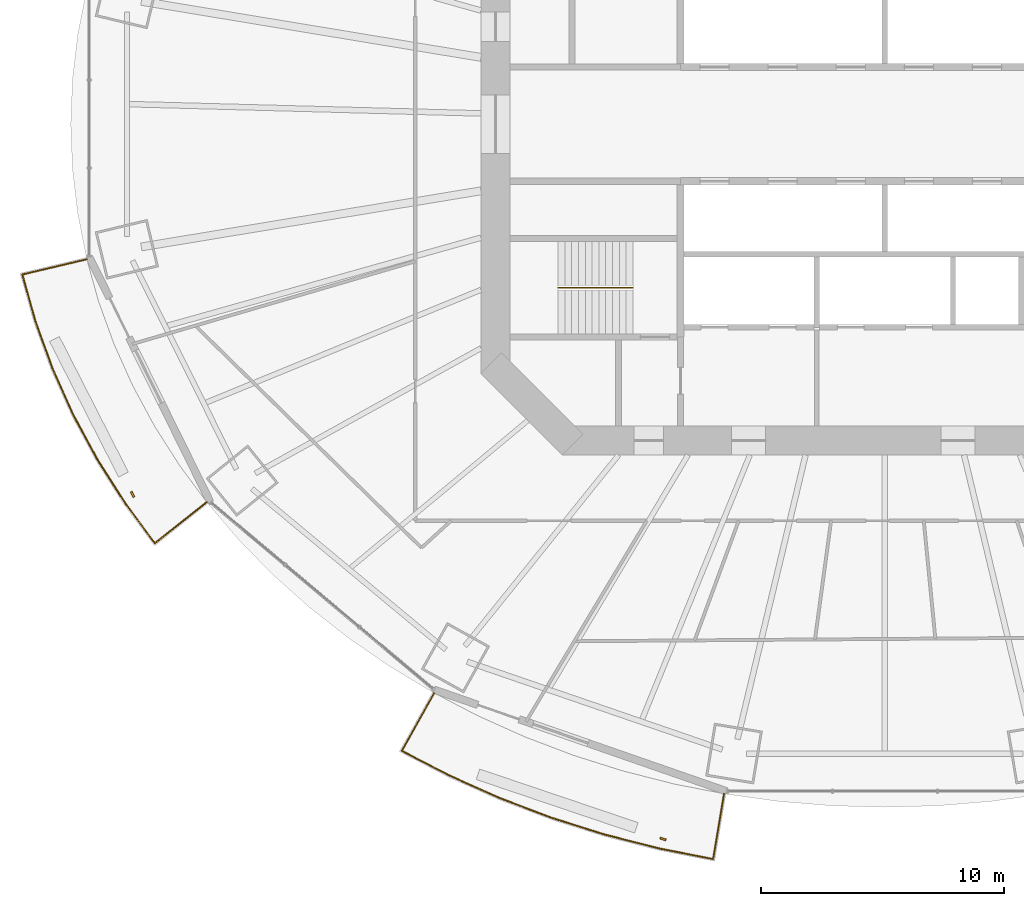
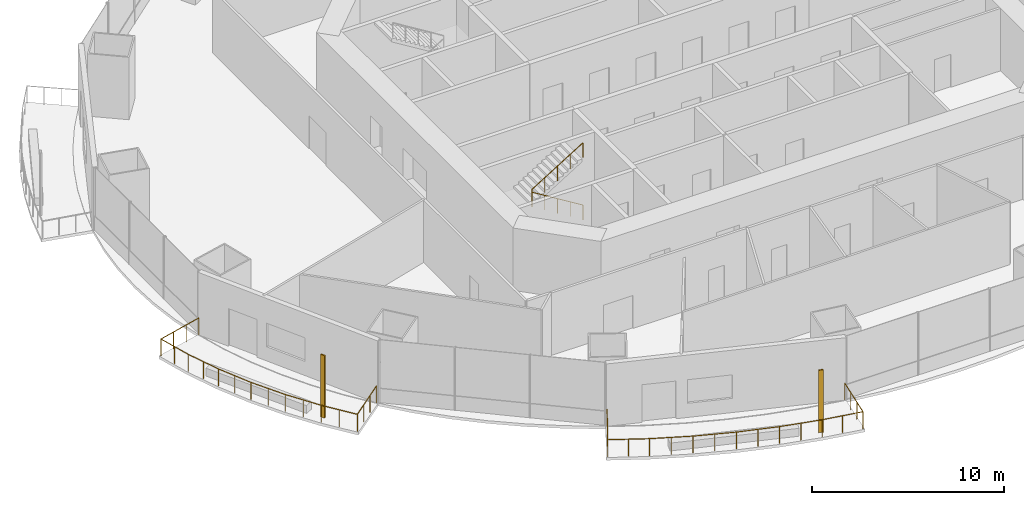
# One storey, part 16 of 20: 3 railings, 2 shading devices.
"""IFC4 building model written with IfcOpenShell, lengths in metres."""

from ifc_helpers import new_model, si_unit, direction, frame, origin, origin_2d, place, context, subcontext, project, spatial, rectangle, circle, extrude, material, material_profile, profile_set, type_object, element, save


model = new_model("IFC4")

# Units and contexts
model_context = context("Model", 3, precision=1e-05, world=origin(), true_north=direction((0.0, 1.0)))
body_context = subcontext(model_context, "Body", "Model", "MODEL_VIEW")
ifc_project = project(units=[si_unit("LENGTHUNIT", "METRE"), si_unit("AREAUNIT", "SQUARE_METRE"), si_unit("VOLUMEUNIT", "CUBIC_METRE"), si_unit("PLANEANGLEUNIT", "RADIAN"), si_unit("MASSUNIT", "GRAM", prefix="KILO")], contexts=[model_context])

# Site, building, storey
site_placement = place(None, origin())
site = spatial("IfcSite", under=ifc_project, at=site_placement, CompositionType="ELEMENT")
building_placement = place(site_placement, origin())
building = spatial("IfcBuilding", under=site, at=building_placement, Name="Marenthal Gate Tower", CompositionType="ELEMENT")
storey_placement = place(building_placement, frame((0.0, 0.0, 132.60009765625)))
storey = spatial("IfcBuildingStorey", under=building, at=storey_placement, Name="L28", CompositionType="ELEMENT", Elevation=132.60009765625)

# Railings
ifc_material_1 = material(Name="Stainless steel", Category="steel")
railing_type_1 = type_object("IfcRailingType", Name="Balcony guard 1100", PredefinedType="GUARDRAIL", material=ifc_material_1)
railing_1_placement = place(storey_placement, frame((-27.872314453125, -15.5361328125, 0.0)))
element("IfcRailing", 1, at=railing_1_placement, inside=storey, type_object=railing_type_1, Name="Balcony guard L28 bay 9", PredefinedType="GUARDRAIL", context=body_context, shape_type="SweptSolid", body=[
    extrude(circle(Radius=0.02392578125, at=origin_2d()), frame((0.0, 0.0, 1.076171875), z_axis=(-0.782497400994, -0.622479868482, -0.014718382127), x_axis=(0.622547303586, -0.782582171275, 0.0)), (0.0, 0.0, 1.0), 2.720458984375),
    extrude(circle(Radius=0.02392578125, at=origin_2d()), frame((-2.128662109375, -1.693359375, 1.0361328125), z_axis=(-0.594330839548, 0.80422064955, 0.0), x_axis=(-0.80422064955, -0.594330839548, 0.0)), (0.0, 0.0, 1.0), 2.0517578125),
    extrude(circle(Radius=0.02392578125, at=origin_2d()), frame((-3.34814453125, -0.043212890625, 1.0361328125), z_axis=(-0.537211554798, 0.843447535649, 0.0), x_axis=(-0.843447535649, -0.537211554798, 0.0)), (0.0, 0.0, 1.0), 2.114990234375),
    extrude(circle(Radius=0.02392578125, at=origin_2d()), frame((-4.484375, 1.74072265625, 1.0361328125), z_axis=(-0.475084098287, 0.879940395456, 0.0), x_axis=(-0.879940395456, -0.475084098287, 0.0)), (0.0, 0.0, 1.0), 2.099853515625),
    extrude(circle(Radius=0.02392578125, at=origin_2d()), frame((-5.48193359375, 3.58837890625, 1.0361328125), z_axis=(-0.409274320643, 0.912411382252, 0.0), x_axis=(-0.912411382252, -0.409274320643, 0.0)), (0.0, 0.0, 1.0), 2.0859375),
    extrude(circle(Radius=0.02392578125, at=origin_2d()), frame((-6.335693359375, 5.49169921875, 1.0361328125), z_axis=(-0.339927901039, 0.940451499066, 0.0), x_axis=(-0.940451499066, -0.339927901039, 0.0)), (0.0, 0.0, 1.0), 2.07421875),
    extrude(circle(Radius=0.02392578125, at=origin_2d()), frame((-7.040771484375, 7.4423828125, 1.0361328125), z_axis=(-0.269159912303, 0.963095499735, 0.0), x_axis=(-0.963095499735, -0.269159912303, 0.0)), (0.0, 0.0, 1.0), 1.984619140625),
    extrude(circle(Radius=0.02392578125, at=origin_2d()), frame((-7.574951171875, 9.353759765625, 1.0361328125), z_axis=(0.972966930586, 0.230474963356, 0.014718806071), x_axis=(-0.230499932836, 0.973072341074, 0.0)), (0.0, 0.0, 1.0), 2.72021484375),
    extrude(circle(Radius=0.02099609375, at=origin_2d()), origin(), (0.0, 0.0, 1.0), 1.052001953125),
    extrude(circle(Radius=0.02099609375, at=origin_2d()), frame((-0.70947265625, -0.564453125, -0.013427734375)), (0.0, 0.0, 1.0), 1.052001953125),
    extrude(circle(Radius=0.02099609375, at=origin_2d()), frame((-1.419189453125, -1.12890625, -0.026611328125)), (0.0, 0.0, 1.0), 1.052001953125),
    extrude(circle(Radius=0.02099609375, at=origin_2d()), frame((-2.128662109375, -1.693359375, -0.0400390625)), (0.0, 0.0, 1.0), 1.052001953125),
    extrude(circle(Radius=0.02099609375, at=origin_2d()), frame((-2.73828125, -0.8681640625, -0.0400390625)), (0.0, 0.0, 1.0), 1.052001953125),
    extrude(circle(Radius=0.02099609375, at=origin_2d()), frame((-3.34814453125, -0.043212890625, -0.0400390625)), (0.0, 0.0, 1.0), 1.052001953125),
    extrude(circle(Radius=0.02099609375, at=origin_2d()), frame((-3.916259765625, 0.8486328125, -0.0400390625)), (0.0, 0.0, 1.0), 1.052001953125),
    extrude(circle(Radius=0.02099609375, at=origin_2d()), frame((-4.484375, 1.74072265625, -0.0400390625)), (0.0, 0.0, 1.0), 1.052001953125),
    extrude(circle(Radius=0.02099609375, at=origin_2d()), frame((-4.983154296875, 2.66455078125, -0.0400390625)), (0.0, 0.0, 1.0), 1.052001953125),
    extrude(circle(Radius=0.02099609375, at=origin_2d()), frame((-5.48193359375, 3.58837890625, -0.0400390625)), (0.0, 0.0, 1.0), 1.052001953125),
    extrude(circle(Radius=0.02099609375, at=origin_2d()), frame((-5.90869140625, 4.5400390625, -0.0400390625)), (0.0, 0.0, 1.0), 1.052001953125),
    extrude(circle(Radius=0.02099609375, at=origin_2d()), frame((-6.335693359375, 5.49169921875, -0.0400390625)), (0.0, 0.0, 1.0), 1.052001953125),
    extrude(circle(Radius=0.02099609375, at=origin_2d()), frame((-6.688232421875, 6.467041015625, -0.0400390625)), (0.0, 0.0, 1.0), 1.052001953125),
    extrude(circle(Radius=0.02099609375, at=origin_2d()), frame((-7.040771484375, 7.4423828125, -0.0400390625)), (0.0, 0.0, 1.0), 1.052001953125),
    extrude(circle(Radius=0.02099609375, at=origin_2d()), frame((-7.307861328125, 8.39794921875, -0.0400390625)), (0.0, 0.0, 1.0), 1.052001953125),
    extrude(circle(Radius=0.02099609375, at=origin_2d()), frame((-7.574951171875, 9.353759765625, -0.0400390625)), (0.0, 0.0, 1.0), 1.052001953125),
    extrude(circle(Radius=0.02099609375, at=origin_2d()), frame((-6.692626953125, 9.562744140625, -0.026611328125)), (0.0, 0.0, 1.0), 1.052001953125),
    extrude(circle(Radius=0.02099609375, at=origin_2d()), frame((-5.810546875, 9.771728515625, -0.013427734375)), (0.0, 0.0, 1.0), 1.052001953125),
    extrude(circle(Radius=0.02099609375, at=origin_2d()), frame((-4.92822265625, 9.980712890625, 0.0)), (0.0, 0.0, 1.0), 1.052001953125),
])
railing_2_placement = place(storey_placement, frame((-6.60693359375, -27.5244140625, 0.0)))
element("IfcRailing", 2, at=railing_2_placement, inside=storey, type_object=railing_type_1, Name="Balcony guard L28 bay 11", PredefinedType="GUARDRAIL", context=body_context, shape_type="SweptSolid", body=[
    extrude(circle(Radius=0.02392578125, at=origin_2d()), frame((0.0, 0.0, 1.076171875), z_axis=(-0.164774109377, -0.986221507592, -0.014718384498), x_axis=(0.986328347949, -0.164791959854, 0.0)), (0.0, 0.0, 1.0), 2.720458984375),
    extrude(circle(Radius=0.02392578125, at=origin_2d()), frame((-0.4482421875, -2.682861328125, 1.0361328125), z_axis=(-0.981190742026, 0.193040741199, 0.0), x_axis=(-0.193040741199, -0.981190742026, 0.0)), (0.0, 0.0, 1.0), 2.244873046875),
    extrude(circle(Radius=0.02392578125, at=origin_2d()), frame((-2.65087890625, -2.24951171875, 1.0361328125), z_axis=(-0.969110463154, 0.246627067057, 0.0), x_axis=(-0.246627067057, -0.969110463154, 0.0)), (0.0, 0.0, 1.0), 2.3154296875),
    extrude(circle(Radius=0.02392578125, at=origin_2d()), frame((-4.894775390625, -1.678466796875, 1.0361328125), z_axis=(-0.953555439672, 0.301217568332, 0.0), x_axis=(-0.301217568332, -0.953555439672, 0.0)), (0.0, 0.0, 1.0), 2.30419921875),
    extrude(circle(Radius=0.02392578125, at=origin_2d()), frame((-7.092041015625, -0.984375, 1.0361328125), z_axis=(-0.934725540452, 0.355370460261, 0.0), x_axis=(-0.355370460261, -0.934725540452, 0.0)), (0.0, 0.0, 1.0), 2.291259765625),
    extrude(circle(Radius=0.02392578125, at=origin_2d()), frame((-9.233642578125, -0.170166015625, 1.0361328125), z_axis=(-0.912426484208, 0.409240651591, 0.0), x_axis=(-0.409240651591, -0.912426484208, 0.0)), (0.0, 0.0, 1.0), 2.276611328125),
    extrude(circle(Radius=0.02392578125, at=origin_2d()), frame((-11.310791015625, 0.761474609375, 1.0361328125), z_axis=(-0.887053580422, 0.461666487261, 0.0), x_axis=(-0.461666487261, -0.887053580422, 0.0)), (0.0, 0.0, 1.0), 2.180419921875),
    extrude(circle(Radius=0.02392578125, at=origin_2d()), frame((-13.244873046875, 1.76806640625, 1.0361328125), z_axis=(0.489304532784, 0.871988782196, 0.014718624977), x_axis=(-0.872083250464, 0.489357542356, 0.0)), (0.0, 0.0, 1.0), 2.72021484375),
    extrude(circle(Radius=0.02099609375, at=origin_2d()), origin(), (0.0, 0.0, 1.0), 1.052001953125),
    extrude(circle(Radius=0.02099609375, at=origin_2d()), frame((-0.1494140625, -0.894287109375, -0.013427734375)), (0.0, 0.0, 1.0), 1.052001953125),
    extrude(circle(Radius=0.02099609375, at=origin_2d()), frame((-0.298828125, -1.78857421875, -0.026611328125)), (0.0, 0.0, 1.0), 1.052001953125),
    extrude(circle(Radius=0.02099609375, at=origin_2d()), frame((-0.4482421875, -2.682861328125, -0.0400390625)), (0.0, 0.0, 1.0), 1.052001953125),
    extrude(circle(Radius=0.02099609375, at=origin_2d()), frame((-1.549560546875, -2.46630859375, -0.0400390625)), (0.0, 0.0, 1.0), 1.052001953125),
    extrude(circle(Radius=0.02099609375, at=origin_2d()), frame((-2.65087890625, -2.24951171875, -0.0400390625)), (0.0, 0.0, 1.0), 1.052001953125),
    extrude(circle(Radius=0.02099609375, at=origin_2d()), frame((-3.77294921875, -1.9638671875, -0.0400390625)), (0.0, 0.0, 1.0), 1.052001953125),
    extrude(circle(Radius=0.02099609375, at=origin_2d()), frame((-4.894775390625, -1.678466796875, -0.0400390625)), (0.0, 0.0, 1.0), 1.052001953125),
    extrude(circle(Radius=0.02099609375, at=origin_2d()), frame((-5.993408203125, -1.33154296875, -0.0400390625)), (0.0, 0.0, 1.0), 1.052001953125),
    extrude(circle(Radius=0.02099609375, at=origin_2d()), frame((-7.092041015625, -0.984375, -0.0400390625)), (0.0, 0.0, 1.0), 1.052001953125),
    extrude(circle(Radius=0.02099609375, at=origin_2d()), frame((-8.162841796875, -0.5771484375, -0.0400390625)), (0.0, 0.0, 1.0), 1.052001953125),
    extrude(circle(Radius=0.02099609375, at=origin_2d()), frame((-9.233642578125, -0.170166015625, -0.0400390625)), (0.0, 0.0, 1.0), 1.052001953125),
    extrude(circle(Radius=0.02099609375, at=origin_2d()), frame((-10.272216796875, 0.295654296875, -0.0400390625)), (0.0, 0.0, 1.0), 1.052001953125),
    extrude(circle(Radius=0.02099609375, at=origin_2d()), frame((-11.310791015625, 0.761474609375, -0.0400390625)), (0.0, 0.0, 1.0), 1.052001953125),
    extrude(circle(Radius=0.02099609375, at=origin_2d()), frame((-12.27783203125, 1.2646484375, -0.0400390625)), (0.0, 0.0, 1.0), 1.052001953125),
    extrude(circle(Radius=0.02099609375, at=origin_2d()), frame((-13.244873046875, 1.76806640625, -0.0400390625)), (0.0, 0.0, 1.0), 1.052001953125),
    extrude(circle(Radius=0.02099609375, at=origin_2d()), frame((-12.80126953125, 2.558837890625, -0.026611328125)), (0.0, 0.0, 1.0), 1.052001953125),
    extrude(circle(Radius=0.02099609375, at=origin_2d()), frame((-12.357421875, 3.349365234375, -0.013427734375)), (0.0, 0.0, 1.0), 1.052001953125),
    extrude(circle(Radius=0.02099609375, at=origin_2d()), frame((-11.913818359375, 4.14013671875, 0.0)), (0.0, 0.0, 1.0), 1.052001953125),
])
ifc_material_2 = material(Name="Stainless steel", Category="steel")
railing_type_2 = type_object("IfcRailingType", Name="Stair handrail", PredefinedType="HANDRAIL", material=ifc_material_2)
railing_3_placement = place(storey_placement, frame((-10.35009765625, -6.72509765625, 0.1728515625)))
element("IfcRailing", 3, at=railing_3_placement, inside=storey, type_object=railing_type_2, Name="Handrail ST2", PredefinedType="HANDRAIL", context=body_context, shape_type="SweptSolid", body=[
    extrude(circle(Radius=0.0224609375, at=origin_2d()), frame((0.0, 0.0, 0.927490234375), z_axis=(-0.850816621229, 0.0, 0.525462726595), x_axis=(0.0, -1.0, 0.0)), (0.0, 0.0, 1.0), 3.619873046875),
    extrude(circle(Radius=0.0224609375, at=origin_2d()), frame((-3.079833984375, 0.0, 2.82958984375), z_axis=(0.0, 0.0, 1.0), x_axis=(1.0, 0.0, 0.0)), (0.0, 0.0, 1.0), 0.1728515625),
    extrude(circle(Radius=0.0224609375, at=origin_2d()), frame((-3.079833984375, 0.0, 3.00244140625), z_axis=(0.850816621229, 0.0, 0.525462726595), x_axis=(0.0, 1.0, 0.0)), (0.0, 0.0, 1.0), 3.619873046875),
    extrude(circle(Radius=0.02001953125, at=origin_2d()), origin(), (0.0, 0.0, 1.0), 0.905029296875),
    extrude(circle(Radius=0.02001953125, at=origin_2d()), frame((-0.77001953125, 0.0, 0.4755859375)), (0.0, 0.0, 1.0), 0.905029296875),
    extrude(circle(Radius=0.02001953125, at=origin_2d()), frame((-1.5400390625, 0.0, 0.951171875)), (0.0, 0.0, 1.0), 0.905029296875),
    extrude(circle(Radius=0.02001953125, at=origin_2d()), frame((-2.309814453125, 0.0, 1.426513671875)), (0.0, 0.0, 1.0), 0.905029296875),
    extrude(circle(Radius=0.02001953125, at=origin_2d()), frame((-3.079833984375, 0.0, 1.902099609375)), (0.0, 0.0, 1.0), 0.905029296875),
    extrude(circle(Radius=0.02001953125, at=origin_2d()), frame((-3.079833984375, 0.0, 2.074951171875)), (0.0, 0.0, 1.0), 0.905029296875),
    extrude(circle(Radius=0.02001953125, at=origin_2d()), frame((-2.309814453125, 0.0, 2.550537109375)), (0.0, 0.0, 1.0), 0.905029296875),
    extrude(circle(Radius=0.02001953125, at=origin_2d()), frame((-1.5400390625, 0.0, 3.02587890625)), (0.0, 0.0, 1.0), 0.905029296875),
    extrude(circle(Radius=0.02001953125, at=origin_2d()), frame((-0.77001953125, 0.0, 3.50146484375)), (0.0, 0.0, 1.0), 0.905029296875),
    extrude(circle(Radius=0.02001953125, at=origin_2d()), frame((0.0, 0.0, 3.97705078125)), (0.0, 0.0, 1.0), 0.905029296875),
])

# Shading devices
ifc_material_3 = material(Name="Terracotta", Category="masonry")
ifc_material_profile = material_profile(ifc_material_3, rectangle(XDim=0.25, YDim=0.080078125, at=origin_2d()), Name="Terracotta baguette 250x80")
ifc_profile_set = profile_set([ifc_material_profile], Name="Terracotta")
shading_device_type = type_object("IfcShadingDeviceType", Name="Terracotta BAGUETTE SCREEN 250x80", PredefinedType="USERDEFINED", material=ifc_profile_set)
for number, where, z_axis, x_axis, name in (
    (4, (-30.916748046875, -15.217529296875, -0.0400390625), (0.0, 0.0, 1.0), (0.442571643987, -0.896733148678, 0.0), "Terracotta BAGUETTE L28 bay 9R"),
    (5, (-9.11376953125, -29.37841796875, -0.0400390625), (0.0, 0.0, 1.0), (0.944551667682, -0.328362828405, 0.0), "Terracotta BAGUETTE L28 bay 11R"),
):
    element("IfcShadingDevice", number, at=place(storey_placement, frame(where, z_axis=z_axis, x_axis=x_axis)), inside=storey, type_object=shading_device_type, Name=name, ObjectType="BAGUETTE SCREEN", PredefinedType="USERDEFINED", context=body_context, shape_type="SweptSolid", body=[
        extrude(rectangle(XDim=0.25, YDim=0.080078125, at=origin_2d()), origin(), (0.0, 0.0, 1.0), 3.969970703125),
    ])

save(model, "model.ifc")
